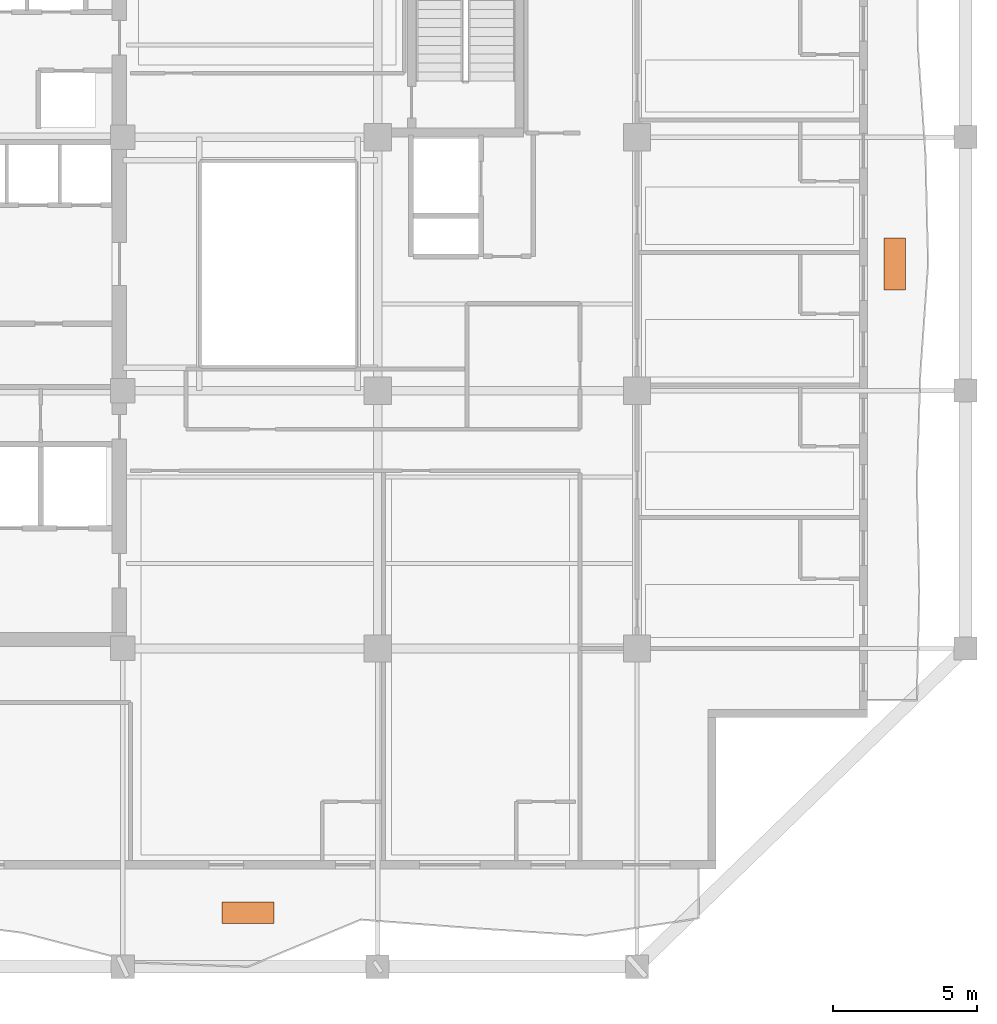
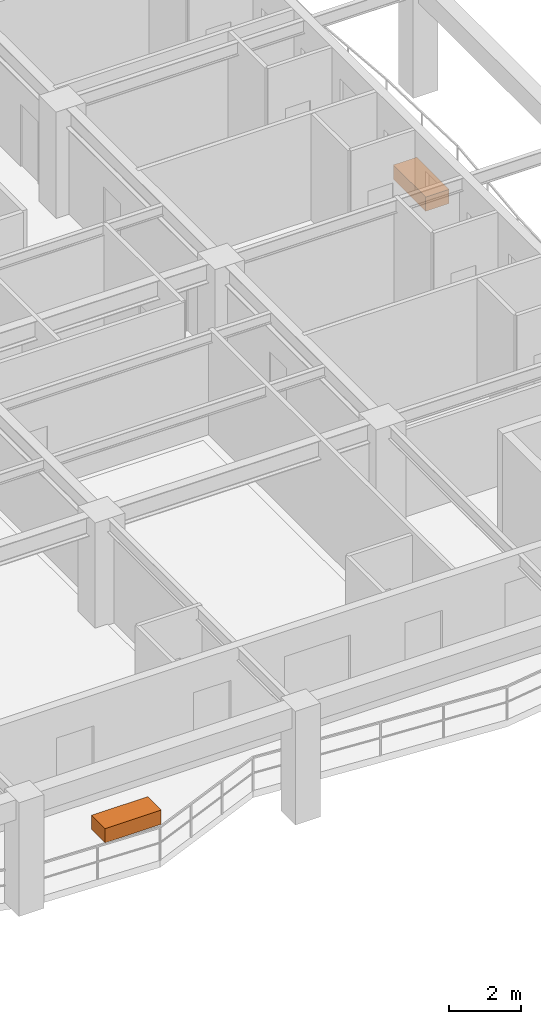
# One storey, part 13 of 13: 2 proxies.
"""IFC4 building model written with IfcOpenShell, lengths in metres."""

from ifc_helpers import new_model, si_unit, direction, frame, origin, origin_2d, place, context, subcontext, project, spatial, rectangle, extrude, material, type_object, element, save


model = new_model("IFC4")

# Units and contexts
model_context = context("Model", 3, precision=1e-05, world=origin(), true_north=direction((0.0, 1.0)))
body_context = subcontext(model_context, "Body", "Model", "MODEL_VIEW")
ifc_project = project(units=[si_unit("LENGTHUNIT", "METRE"), si_unit("AREAUNIT", "SQUARE_METRE"), si_unit("VOLUMEUNIT", "CUBIC_METRE"), si_unit("PLANEANGLEUNIT", "RADIAN"), si_unit("MASSUNIT", "GRAM", prefix="KILO")], contexts=[model_context])

# Site, building, storey
site_placement = place(None, origin())
site = spatial("IfcSite", under=ifc_project, at=site_placement, CompositionType="ELEMENT")
building_placement = place(site_placement, origin())
building = spatial("IfcBuilding", under=site, at=building_placement, Name="Kundavana Baori Tower", CompositionType="ELEMENT")
storey_placement = place(building_placement, frame((0.0, 0.0, 188.699951171875)))
storey = spatial("IfcBuildingStorey", under=building, at=storey_placement, Name="L46", CompositionType="ELEMENT", Elevation=188.699951171875)

# Proxies
ifc_material = material(Name="Red-Buff Dholpur Sandstone Cladding on Concrete C40/50", Category="masonry")
building_element_proxy_type = type_object("IfcBuildingElementProxyType", Name="PRX-PLANTER-1800", PredefinedType="USERDEFINED", material=ifc_material)
for number, where, z_axis, x_axis, name in (
    (1, (29.300048828125, 6.070068359375, 0.0), (0.0, 0.0, 1.0), (1.0, 0.0, 0.0), "L46 Dholpur Stone Structural Tree Planter S"),
    (2, (51.751953125, 28.60009765625, 0.0), (0.0, 0.0, 1.0), (0.0, 1.0, 0.0), "L46 Dholpur Stone Structural Tree Planter E"),
):
    element("IfcBuildingElementProxy", number, at=place(storey_placement, frame(where, z_axis=z_axis, x_axis=x_axis)), inside=storey, type_object=building_element_proxy_type, Name=name, ObjectType="PLANTER", PredefinedType="USERDEFINED", context=body_context, shape_type="SweptSolid", body=[
        extrude(rectangle(XDim=1.800048828125, YDim=0.75, at=origin_2d()), origin(), (0.0, 0.0, 1.0), 0.47998046875),
    ])

save(model, "model.ifc")
